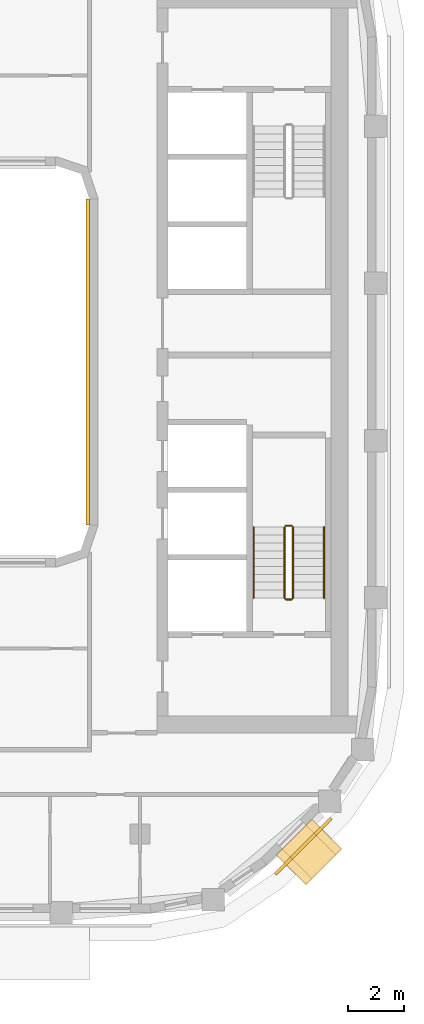
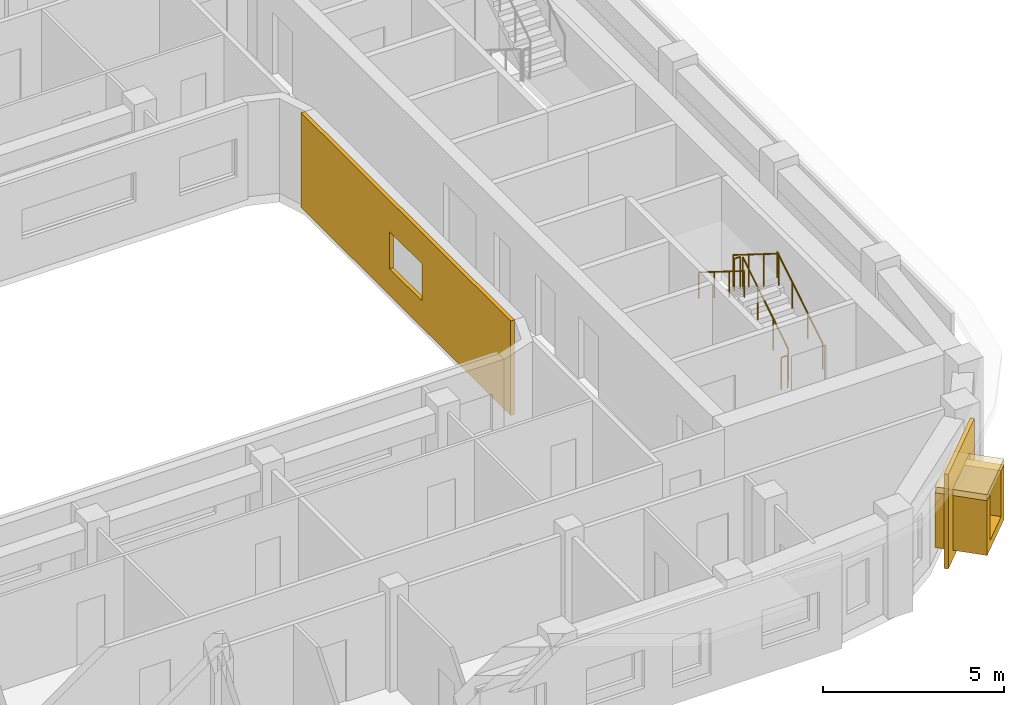
# One storey, part 13 of 16: 6 railings, 4 coverings.
"""IFC4 building model written with IfcOpenShell, lengths in metres."""

from ifc_helpers import new_model, si_unit, direction, frame, origin, origin_2d, place, context, subcontext, project, spatial, polyline, rectangle, circle, outline, extrude, material, layer, layer_set, type_object, element, save


model = new_model("IFC4")

# Units and contexts
model_context = context("Model", 3, precision=1e-05, world=origin(), true_north=direction((0.0, 1.0)))
body_context = subcontext(model_context, "Body", "Model", "MODEL_VIEW")
ifc_project = project(units=[si_unit("LENGTHUNIT", "METRE"), si_unit("AREAUNIT", "SQUARE_METRE"), si_unit("VOLUMEUNIT", "CUBIC_METRE"), si_unit("PLANEANGLEUNIT", "RADIAN"), si_unit("MASSUNIT", "GRAM", prefix="KILO")], contexts=[model_context])

# Site, building, storey
site_placement = place(None, origin())
site = spatial("IfcSite", under=ifc_project, at=site_placement, CompositionType="ELEMENT")
building_placement = place(site_placement, origin())
building = spatial("IfcBuilding", under=site, at=building_placement, Name="Kiln Ring Residences", CompositionType="ELEMENT")
storey_placement = place(building_placement, frame((0.0, 0.0, 245.199951171875)))
storey = spatial("IfcBuildingStorey", under=building, at=storey_placement, Name="L63", CompositionType="ELEMENT", Elevation=245.199951171875)

# Railings
ifc_material_1 = material(Name="Stainless steel", Category="steel")
railing_type_1 = type_object("IfcRailingType", Name="CORE-STAIR-GUARD", PredefinedType="GUARDRAIL", material=ifc_material_1)
railing_1_placement = place(storey_placement, frame((22.25, -8.39990234375, 0.175048828125)))
element("IfcRailing", 1, at=railing_1_placement, inside=storey, type_object=railing_type_1, Name="L63 E-STS stair guard 1", PredefinedType="GUARDRAIL", context=body_context, shape_type="SweptSolid", body=[
    extrude(circle(Radius=0.02392578125, at=origin_2d()), frame((0.0, 0.0, 1.076171875), z_axis=(0.0, 0.848007534815, 0.529984170421), x_axis=(-1.0, 0.0, 0.0)), (0.0, 0.0, 1.0), 2.9716796875),
    extrude(circle(Radius=0.02099609375, at=origin_2d()), origin(), (0.0, 0.0, 1.0), 1.052001953125),
    extrude(circle(Radius=0.02099609375, at=origin_2d()), frame((0.0, 0.840087890625, 0.52490234375)), (0.0, 0.0, 1.0), 1.052001953125),
    extrude(circle(Radius=0.02099609375, at=origin_2d()), frame((0.0, 1.679931640625, 1.050048828125)), (0.0, 0.0, 1.0), 1.052001953125),
    extrude(circle(Radius=0.02099609375, at=origin_2d()), frame((0.0, 2.52001953125, 1.574951171875)), (0.0, 0.0, 1.0), 1.052001953125),
])
railing_2_placement = place(storey_placement, frame((22.199951171875, -5.830078125, 1.75)))
element("IfcRailing", 2, at=railing_2_placement, inside=storey, type_object=railing_type_1, Name="L63 E-STS stair guard 2", PredefinedType="GUARDRAIL", context=body_context, shape_type="SweptSolid", body=[
    extrude(circle(Radius=0.02392578125, at=origin_2d()), frame((0.0, 0.0, 1.076171875), z_axis=(-1.0, 0.0, 0.0), x_axis=(0.0, -1.0, 0.0)), (0.0, 0.0, 1.0), 0.199951171875),
    extrude(circle(Radius=0.02099609375, at=origin_2d()), origin(), (0.0, 0.0, 1.0), 1.052001953125),
    extrude(circle(Radius=0.02099609375, at=origin_2d()), frame((-0.199951171875, 0.0, 0.0)), (0.0, 0.0, 1.0), 1.052001953125),
])
railing_3_placement = place(storey_placement, frame((21.949951171875, -5.8798828125, 1.925048828125)))
element("IfcRailing", 3, at=railing_3_placement, inside=storey, type_object=railing_type_1, Name="L63 E-STS stair guard 3", PredefinedType="GUARDRAIL", context=body_context, shape_type="SweptSolid", body=[
    extrude(circle(Radius=0.02392578125, at=origin_2d()), frame((0.0, 0.0, 1.076171875), z_axis=(0.0, -0.848007534815, 0.529984170421), x_axis=(1.0, 0.0, 0.0)), (0.0, 0.0, 1.0), 2.9716796875),
    extrude(circle(Radius=0.02099609375, at=origin_2d()), origin(), (0.0, 0.0, 1.0), 1.052001953125),
    extrude(circle(Radius=0.02099609375, at=origin_2d()), frame((0.0, -0.840087890625, 0.52490234375)), (0.0, 0.0, 1.0), 1.052001953125),
    extrude(circle(Radius=0.02099609375, at=origin_2d()), frame((0.0, -1.679931640625, 1.050048828125)), (0.0, 0.0, 1.0), 1.052001953125),
    extrude(circle(Radius=0.02099609375, at=origin_2d()), frame((0.0, -2.52001953125, 1.574951171875)), (0.0, 0.0, 1.0), 1.052001953125),
])
railing_4_placement = place(storey_placement, frame((22.199951171875, -8.449951171875, 0.0)))
element("IfcRailing", 4, at=railing_4_placement, inside=storey, type_object=railing_type_1, Name="L63 E-STS stair guard 4", PredefinedType="GUARDRAIL", context=body_context, shape_type="SweptSolid", body=[
    extrude(circle(Radius=0.02392578125, at=origin_2d()), frame((0.0, 0.0, 1.076171875), z_axis=(-1.0, 0.0, 0.0), x_axis=(0.0, -1.0, 0.0)), (0.0, 0.0, 1.0), 0.199951171875),
    extrude(circle(Radius=0.02099609375, at=origin_2d()), origin(), (0.0, 0.0, 1.0), 1.052001953125),
    extrude(circle(Radius=0.02099609375, at=origin_2d()), frame((-0.199951171875, 0.0, 0.0)), (0.0, 0.0, 1.0), 1.052001953125),
])
ifc_material_2 = material(Name="Stainless steel", Category="steel")
railing_type_2 = type_object("IfcRailingType", Name="CORE-STAIR-HANDRAIL", PredefinedType="HANDRAIL", material=ifc_material_2)
railing_5_placement = place(storey_placement, frame((23.35009765625, -8.39990234375, 0.175048828125)))
element("IfcRailing", 5, at=railing_5_placement, inside=storey, type_object=railing_type_2, Name="L63 E-STS stair handrail 1", PredefinedType="HANDRAIL", context=body_context, shape_type="SweptSolid", body=[
    extrude(circle(Radius=0.02392578125, at=origin_2d()), frame((0.0, 0.0, 0.8759765625), z_axis=(0.0, 0.848007534815, 0.529984170421), x_axis=(-1.0, 0.0, 0.0)), (0.0, 0.0, 1.0), 2.9716796875),
    extrude(circle(Radius=0.02099609375, at=origin_2d()), origin(), (0.0, 0.0, 1.0), 0.851806640625),
    extrude(circle(Radius=0.02099609375, at=origin_2d()), frame((0.0, 0.840087890625, 0.52490234375)), (0.0, 0.0, 1.0), 0.851806640625),
    extrude(circle(Radius=0.02099609375, at=origin_2d()), frame((0.0, 1.679931640625, 1.050048828125)), (0.0, 0.0, 1.0), 0.851806640625),
    extrude(circle(Radius=0.02099609375, at=origin_2d()), frame((0.0, 2.52001953125, 1.574951171875)), (0.0, 0.0, 1.0), 0.851806640625),
])
railing_6_placement = place(storey_placement, frame((20.85009765625, -5.8798828125, 1.925048828125)))
element("IfcRailing", 6, at=railing_6_placement, inside=storey, type_object=railing_type_2, Name="L63 E-STS stair handrail 2", PredefinedType="HANDRAIL", context=body_context, shape_type="SweptSolid", body=[
    extrude(circle(Radius=0.02392578125, at=origin_2d()), frame((0.0, 0.0, 0.8759765625), z_axis=(0.0, -0.848007534815, 0.529984170421), x_axis=(1.0, 0.0, 0.0)), (0.0, 0.0, 1.0), 2.9716796875),
    extrude(circle(Radius=0.02099609375, at=origin_2d()), origin(), (0.0, 0.0, 1.0), 0.851806640625),
    extrude(circle(Radius=0.02099609375, at=origin_2d()), frame((0.0, -0.840087890625, 0.52490234375)), (0.0, 0.0, 1.0), 0.851806640625),
    extrude(circle(Radius=0.02099609375, at=origin_2d()), frame((0.0, -1.679931640625, 1.050048828125)), (0.0, 0.0, 1.0), 0.851806640625),
    extrude(circle(Radius=0.02099609375, at=origin_2d()), frame((0.0, -2.52001953125, 1.574951171875)), (0.0, 0.0, 1.0), 0.851806640625),
])

# Coverings
ifc_material_3 = material(Name="Brick masonry, dark clay brick", Category="masonry")
ifc_layer_1 = layer(ifc_material_3, 0.300048828125)
ifc_layer_set_1 = layer_set([ifc_layer_1], Name="FRAME CHEEKS AND SILL 1500")
covering_type_1 = type_object("IfcCoveringType", Name="FRAME CHEEKS AND SILL 1500", PredefinedType="CLADDING", material=ifc_layer_set_1)
covering_1_placement = place(storey_placement, frame((22.180908203125, -18.079833984375, 0.300048828125), z_axis=(0.0, 0.0, 1.0), x_axis=(0.707038962956, 0.707174592913, 0.0)))
element("IfcCovering", 7, at=covering_1_placement, inside=storey, type_object=covering_type_1, Name="FRAME L63", PredefinedType="CLADDING", context=body_context, shape_type="SweptSolid", body=[
    extrude(outline(polyline([(0.0, 0.0), (1.800048828125, 0.0), (1.800048828125, 1.85009765625), (1.5009765625, 1.85009765625), (1.5, 0.300048828125), (0.300048828125, 0.300048828125), (0.299072265625, 1.85009765625), (0.0, 1.85009765625), (0.0, 0.0)])), frame((0.0, 0.75, 0.0), z_axis=(0.0, -1.0, 0.0), x_axis=(1.0, 0.0, 0.0)), (0.0, 0.0, 1.0), 1.5),
])
ifc_material_4 = material(Name="Brick masonry, dark clay brick", Category="masonry")
ifc_layer_2 = layer(ifc_material_4, 0.199951171875)
ifc_layer_set_2 = layer_set([ifc_layer_2], Name="FRAME HEAD 1500")
covering_type_2 = type_object("IfcCoveringType", Name="FRAME HEAD 1500", PredefinedType="CLADDING", material=ifc_layer_set_2)
covering_2_placement = place(storey_placement, frame((22.8173828125, -17.443359375, 2.14990234375), z_axis=(0.0, 0.0, 1.0), x_axis=(0.707106781187, 0.707106781187, 0.0)))
element("IfcCovering", 8, at=covering_2_placement, inside=storey, type_object=covering_type_2, Name="FRAME HEAD L63", PredefinedType="CLADDING", context=body_context, shape_type="SweptSolid", body=[
    extrude(rectangle(XDim=1.800048828125, YDim=1.5, at=origin_2d()), origin(), (0.0, 0.0, 1.0), 0.199951171875),
])
ifc_material_5 = material(Name="Brick masonry, dark clay brick", Category="masonry")
ifc_layer_3 = layer(ifc_material_5, 0.1201171875)
ifc_layer_set_3 = layer_set([ifc_layer_3], Name="RAINSCREEN PANEL 120")
covering_type_3 = type_object("IfcCoveringType", Name="RAINSCREEN PANEL 120", PredefinedType="CLADDING", material=ifc_layer_set_3)
covering_3_placement = place(storey_placement, frame((21.622314453125, -18.228271484375, 0.0), z_axis=(0.0, 0.0, 1.0), x_axis=(0.707106781187, 0.707106781187, 0.0)))
element("IfcCovering", 9, at=covering_3_placement, inside=storey, type_object=covering_type_3, Name="RAINSCREEN L63", PredefinedType="CLADDING", context=body_context, shape_type="SweptSolid", body=[
    extrude(outline(polyline([(0.0, 0.0), (2.800048828125, 0.0), (2.800048828125, 3.199951171875), (0.0, 3.199951171875), (0.0, 0.0)]), holes=[polyline([(0.47998046875, 2.3701171875), (0.47998046875, 0.280029296875), (2.320068359375, 0.280029296875), (2.320068359375, 2.3701171875), (0.47998046875, 2.3701171875)])]), frame((0.0, 0.06005859375, 0.0), z_axis=(0.0, -1.0, 0.0), x_axis=(1.0, 0.0, 0.0)), (0.0, 0.0, 1.0), 0.1201171875),
])
covering_4_placement = place(storey_placement, frame((14.93994140625, 5.800048828125, 0.0), z_axis=(0.0, 0.0, 1.0), x_axis=(0.0, -1.0, 0.0)))
element("IfcCovering", 10, at=covering_4_placement, inside=storey, type_object=covering_type_3, Name="RAINSCREEN L63", PredefinedType="CLADDING", context=body_context, shape_type="SweptSolid", body=[
    extrude(outline(polyline([(0.0, 0.0), (11.60009765625, 0.0), (11.60009765625, 3.199951171875), (0.0, 3.199951171875), (0.0, 0.0)]), holes=[polyline([(4.89990234375, 2.150146484375), (4.89990234375, 0.900146484375), (6.699951171875, 0.900146484375), (6.699951171875, 2.150146484375), (4.89990234375, 2.150146484375)])]), frame((0.0, 0.06005859375, 0.0), z_axis=(0.0, -1.0, 0.0), x_axis=(1.0, 0.0, 0.0)), (0.0, 0.0, 1.0), 0.1201171875),
])

save(model, "model.ifc")
